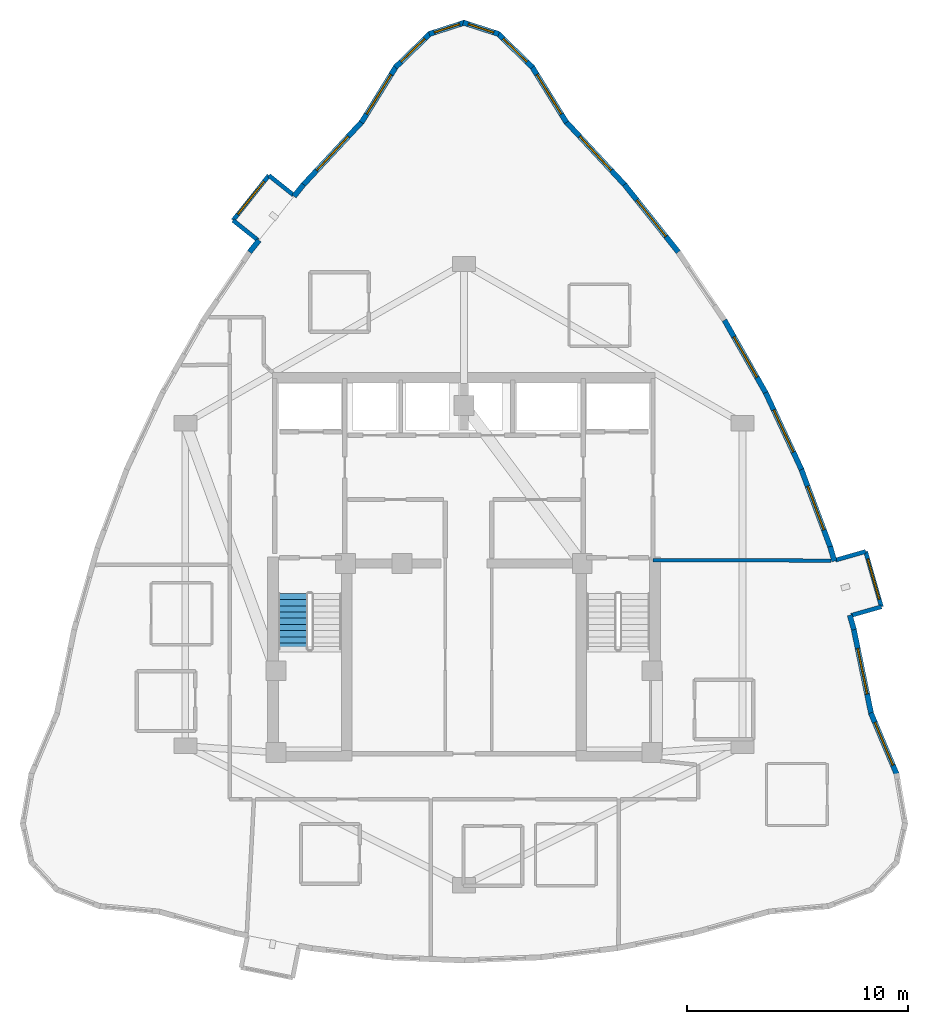
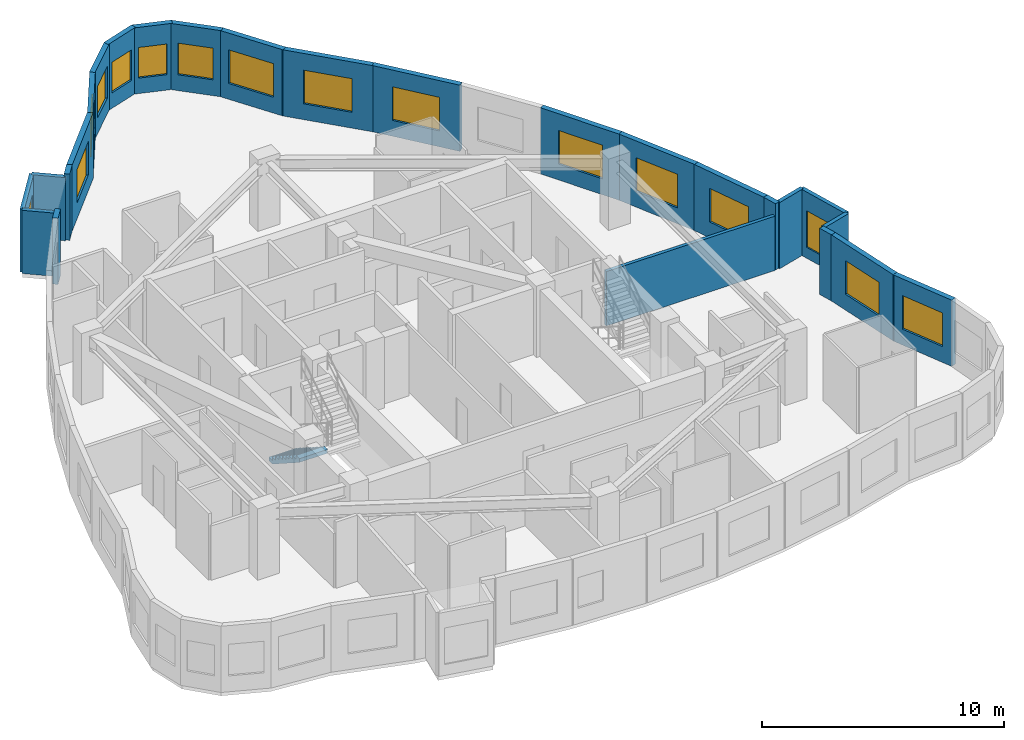
# One storey, part 8 of 10: 25 walls, 16 windows, 1 stair flight, 16 openings, 1 element without a shape of its own.
"""IFC4 building model written with IfcOpenShell, lengths in metres."""

from ifc_helpers import new_model, si_unit, direction, frame, frame_2d, origin, place, context, subcontext, project, spatial, polyline, rectangle, outline, extrude, material, layer, layer_set, type_object, element, fill, aggregate, save


model = new_model("IFC4")

# Units and contexts
model_context = context("Model", 3, precision=1e-05, world=origin(), true_north=direction((0.0, 1.0)))
body_context = subcontext(model_context, "Body", "Model", "MODEL_VIEW")
ifc_project = project(units=[si_unit("LENGTHUNIT", "METRE"), si_unit("AREAUNIT", "SQUARE_METRE"), si_unit("VOLUMEUNIT", "CUBIC_METRE"), si_unit("PLANEANGLEUNIT", "RADIAN"), si_unit("MASSUNIT", "GRAM", prefix="KILO")], contexts=[model_context])

# Site, building, storey
site_placement = place(None, origin())
site = spatial("IfcSite", under=ifc_project, at=site_placement, CompositionType="ELEMENT")
building_placement = place(site_placement, origin())
building = spatial("IfcBuilding", under=site, at=building_placement, Name="Miruveldt Soraemaru", CompositionType="ELEMENT")
storey_placement = place(building_placement, frame((0.0, 0.0, 230.39990234375)))
storey = spatial("IfcBuildingStorey", under=building, at=storey_placement, Name="L63", CompositionType="ELEMENT", Elevation=230.39990234375)

# Walls
ifc_material_1 = material(Name="White powder-coated aluminium EN AW-6060 T6", Category="aluminium")
ifc_layer_1 = layer(ifc_material_1, 0.18994140625, Name="White powder-coated aluminium EN AW-6060 T6", Category="aluminium")
ifc_layer_set_1 = layer_set([ifc_layer_1], Name="White powder-coated aluminium EN AW-6060 T6")
wall_type_1 = type_object("IfcWallType", Name="WALL-BAY-ALU190", PredefinedType="SOLIDWALL", material=ifc_layer_set_1)
for number, where, z_axis, x_axis, name in (
    (1, (36.290283203125, 60.718994140625, 0.0), (0.0, 0.0, 1.0), (-0.781737193764, 0.623608017817, 0.0), "L63 Bay Window Side Cheek 1L"),
    (2, (33.5546875, 59.5751953125, 0.0), (0.0, 0.0, 1.0), (0.781737193764, -0.623608017817, 0.0), "L63 Bay Window Side Cheek 1R"),
):
    element("IfcWall", number, at=place(storey_placement, frame(where, z_axis=z_axis, x_axis=x_axis)), inside=storey, type_object=wall_type_1, Name=name, PredefinedType="SOLIDWALL", context=body_context, shape_type="SweptSolid", body=[
        extrude(rectangle(XDim=1.425048828125, YDim=0.18994140625, at=frame_2d((0.71240234375, 0.0))), origin(), (0.0, 0.0, 1.0), 3.195068359375),
    ])

# Wall, opening, window
wall_1_placement = place(storey_placement, frame((35.17626953125, 61.607666015625, 0.0), z_axis=(0.0, 0.0, 1.0), x_axis=(-0.623663926583, -0.781692590907, 0.0)))
wall_1 = element("IfcWall", 3, at=wall_1_placement, inside=storey, type_object=wall_type_1, Name="L63 Bay Window Front Frame 1", PredefinedType="SOLIDWALL", context=body_context, shape_type="SweptSolid", body=[
    extrude(rectangle(XDim=2.60009765625, YDim=0.18994140625, at=frame_2d((1.300048828125, 0.0))), origin(), (0.0, 0.0, 1.0), 3.195068359375),
])
opening_1_placement = place(wall_1_placement, frame((0.35009765625, 0.0, 0.550048828125)))
opening_1 = element("IfcOpeningElement", 4, at=opening_1_placement, cuts=wall_1, Name="Opening WN-6", PredefinedType="OPENING", context=body_context, shape_type="SweptSolid", body=[
    extrude(rectangle(XDim=1.89990234375, YDim=1.85009765625, at=frame_2d((0.949951171875, 0.925048828125))), frame((0.0, 0.10498046875, 0.0), z_axis=(0.0, -1.0, 0.0), x_axis=(1.0, 0.0, 0.0)), (0.0, 0.0, 1.0), 0.2099609375),
])
ifc_material_2 = material(Name="Triple low-e insulated glazing", Category="glass")
window_type_1 = type_object("IfcWindowType", Name="WIN-BAYW-1900x1850", PartitioningType="SINGLE_PANEL", PredefinedType="WINDOW", material=ifc_material_2)
window_1_placement = place(opening_1_placement, origin())
window_1 = element("IfcWindow", 5, at=window_1_placement, inside=storey, type_object=window_type_1, Name="L63 Projecting Bay Window 1", OverallHeight=1.85009765625, OverallWidth=1.89990234375, PartitioningType="SINGLE_PANEL", PredefinedType="WINDOW", context=body_context, shape_type="SweptSolid", body=[
    extrude(rectangle(XDim=1.89990234375, YDim=1.85009765625, at=frame_2d((0.949951171875, 0.925048828125))), frame((0.0, 0.030029296875, 0.0), z_axis=(0.0, -1.0, 0.0), x_axis=(1.0, 0.0, 0.0)), (0.0, 0.0, 1.0), 0.06005859375),
])
fill(opening_1, window_1)

# Walls
wall_2_placement = place(storey_placement, frame((61.51220703125, 41.70361328125, 0.0), z_axis=(0.0, 0.0, 1.0), x_axis=(0.961439844578, 0.275015318223, 0.0)))
element("IfcWall", 6, at=wall_2_placement, inside=storey, type_object=wall_type_1, Name="L63 Bay Window Side Cheek 3L", PredefinedType="SOLIDWALL", context=body_context, shape_type="SweptSolid", body=[
    extrude(rectangle(XDim=1.4248046875, YDim=0.18994140625, at=frame_2d((0.71240234375, 0.0))), origin(), (0.0, 0.0, 1.0), 3.34521484375),
])
wall_3_placement = place(storey_placement, frame((62.167236328125, 44.59521484375, 0.0), z_axis=(0.0, 0.0, 1.0), x_axis=(-0.961452801096, -0.274970018845, 0.0)))
element("IfcWall", 7, at=wall_3_placement, inside=storey, type_object=wall_type_1, Name="L63 Bay Window Side Cheek 3R", PredefinedType="SOLIDWALL", context=body_context, shape_type="SweptSolid", body=[
    extrude(rectangle(XDim=1.425048828125, YDim=0.18994140625, at=frame_2d((0.71240234375, 0.0))), origin(), (0.0, 0.0, 1.0), 3.34521484375),
])

# Wall, opening, window
wall_4_placement = place(storey_placement, frame((62.882080078125, 42.095458984375, 0.0), z_axis=(0.0, 0.0, 1.0), x_axis=(-0.274944358644, 0.961460139397, 0.0)))
wall_4 = element("IfcWall", 8, at=wall_4_placement, inside=storey, type_object=wall_type_1, Name="L63 Bay Window Front Frame 3", PredefinedType="SOLIDWALL", context=body_context, shape_type="SweptSolid", body=[
    extrude(rectangle(XDim=2.599853515625, YDim=0.18994140625, at=frame_2d((1.2998046875, 0.0))), origin(), (0.0, 0.0, 1.0), 3.34521484375),
])
opening_2_placement = place(wall_4_placement, frame((0.35009765625, 0.0, 0.550048828125)))
opening_2 = element("IfcOpeningElement", 9, at=opening_2_placement, cuts=wall_4, Name="Opening WN-6", PredefinedType="OPENING", context=body_context, shape_type="SweptSolid", body=[
    extrude(rectangle(XDim=1.89990234375, YDim=1.85009765625, at=frame_2d((0.949951171875, 0.925048828125))), frame((0.0, 0.10498046875, 0.0), z_axis=(0.0, -1.0, 0.0), x_axis=(1.0, 0.0, 0.0)), (0.0, 0.0, 1.0), 0.2099609375),
])
window_2_placement = place(opening_2_placement, origin())
window_2 = element("IfcWindow", 10, at=window_2_placement, inside=storey, type_object=window_type_1, Name="L63 Projecting Bay Window 3", OverallHeight=1.85009765625, OverallWidth=1.89990234375, PartitioningType="SINGLE_PANEL", PredefinedType="WINDOW", context=body_context, shape_type="SweptSolid", body=[
    extrude(rectangle(XDim=1.89990234375, YDim=1.85009765625, at=frame_2d((0.949951171875, 0.925048828125))), frame((0.0, 0.030029296875, 0.0), z_axis=(0.0, -1.0, 0.0), x_axis=(1.0, 0.0, 0.0)), (0.0, 0.0, 1.0), 0.06005859375),
])
fill(opening_2, window_2)

ifc_material_3 = material(Name="Precast concrete C45/55 (45 MPa)", Category="concrete")
ifc_layer_2 = layer(ifc_material_3, 0.239990234375, Name="Precast concrete C45/55 (45 MPa)", Category="concrete")
ifc_layer_set_2 = layer_set([ifc_layer_2], Name="Precast concrete C45/55 (45 MPa)")
wall_type_2 = type_object("IfcWallType", Name="WALL-EXT-PC240", PredefinedType="SOLIDWALL", material=ifc_layer_set_2)
wall_5_placement = place(storey_placement, frame((48.63720703125, 64.002197265625, 0.0), z_axis=(0.0, 0.0, 1.0), x_axis=(-0.526046065783, 0.850456075687, 0.0)))
wall_5 = element("IfcWall", 11, at=wall_5_placement, inside=storey, type_object=wall_type_2, Name="L63 Precast Concrete Facade Wall 1", PredefinedType="SOLIDWALL", context=body_context, shape_type="SweptSolid", body=[
    extrude(rectangle(XDim=2.996826171875, YDim=0.239990234375, at=frame_2d((1.49853515625, 0.0))), origin(), (0.0, 0.0, 1.0), 3.34521484375),
])
opening_3_placement = place(wall_5_placement, frame((0.448974609375, 0.0, 0.800048828125)))
opening_3 = element("IfcOpeningElement", 12, at=opening_3_placement, cuts=wall_5, Name="Opening WN-1", PredefinedType="OPENING", context=body_context, shape_type="SweptSolid", body=[
    extrude(rectangle(XDim=2.10009765625, YDim=1.699951171875, at=frame_2d((1.050048828125, 0.85009765625))), frame((0.0, 0.1298828125, 0.0), z_axis=(0.0, -1.0, 0.0), x_axis=(1.0, 0.0, 0.0)), (0.0, 0.0, 1.0), 0.260009765625),
])
window_type_2 = type_object("IfcWindowType", Name="WIN-PUNCH-2100x1700", PartitioningType="SINGLE_PANEL", PredefinedType="WINDOW", material=ifc_material_2)
window_3_placement = place(opening_3_placement, origin())
window_3 = element("IfcWindow", 13, at=window_3_placement, inside=storey, type_object=window_type_2, Name="L63 Punched Triple-Glazed Window 01.1", OverallHeight=1.699951171875, OverallWidth=2.10009765625, PartitioningType="SINGLE_PANEL", PredefinedType="WINDOW", context=body_context, shape_type="SweptSolid", body=[
    extrude(rectangle(XDim=2.10009765625, YDim=1.699951171875, at=frame_2d((1.050048828125, 0.85009765625))), frame((0.0, 0.030029296875, 0.0), z_axis=(0.0, -1.0, 0.0), x_axis=(1.0, 0.0, 0.0)), (0.0, 0.0, 1.0), 0.06005859375),
])
fill(opening_3, window_3)

wall_6_placement = place(storey_placement, frame((47.104248046875, 66.49658203125, 0.0), z_axis=(0.0, 0.0, 1.0), x_axis=(-0.717771848631, 0.696278373434, 0.0)))
wall_6 = element("IfcWall", 14, at=wall_6_placement, inside=storey, type_object=wall_type_2, Name="L63 Precast Concrete Facade Wall 2", PredefinedType="SOLIDWALL", context=body_context, shape_type="SweptSolid", body=[
    extrude(rectangle(XDim=2.215087890625, YDim=0.239990234375, at=frame_2d((1.107421875, 0.0))), origin(), (0.0, 0.0, 1.0), 3.34521484375),
])
opening_4_placement = place(wall_6_placement, frame((0.35791015625, 0.0, 0.800048828125)))
opening_4 = element("IfcOpeningElement", 15, at=opening_4_placement, cuts=wall_6, Name="Opening WN-3", PredefinedType="OPENING", context=body_context, shape_type="SweptSolid", body=[
    extrude(rectangle(XDim=1.5, YDim=1.60009765625, at=frame_2d((0.75, 0.800048828125))), frame((0.0, 0.1298828125, 0.0), z_axis=(0.0, -1.0, 0.0), x_axis=(1.0, 0.0, 0.0)), (0.0, 0.0, 1.0), 0.260009765625),
])
window_type_3 = type_object("IfcWindowType", Name="WIN-PUNCH-1500x1600", PartitioningType="SINGLE_PANEL", PredefinedType="WINDOW", material=ifc_material_2)
window_4_placement = place(opening_4_placement, origin())
window_4 = element("IfcWindow", 16, at=window_4_placement, inside=storey, type_object=window_type_3, Name="L63 Punched Triple-Glazed Window 02.1", OverallHeight=1.60009765625, OverallWidth=1.5, PartitioningType="SINGLE_PANEL", PredefinedType="WINDOW", context=body_context, shape_type="SweptSolid", body=[
    extrude(rectangle(XDim=1.5, YDim=1.60009765625, at=frame_2d((0.75, 0.800048828125))), frame((0.0, 0.030029296875, 0.0), z_axis=(0.0, -1.0, 0.0), x_axis=(1.0, 0.0, 0.0)), (0.0, 0.0, 1.0), 0.06005859375),
])
fill(opening_4, window_4)

wall_7_placement = place(storey_placement, frame((45.572998046875, 68.00341796875, 0.0), z_axis=(0.0, 0.0, 1.0), x_axis=(-0.951508034969, 0.307623892747, 0.0)))
wall_7 = element("IfcWall", 17, at=wall_7_placement, inside=storey, type_object=wall_type_2, Name="L63 Precast Concrete Facade Wall 3", PredefinedType="SOLIDWALL", context=body_context, shape_type="SweptSolid", body=[
    extrude(rectangle(XDim=1.68798828125, YDim=0.239990234375, at=frame_2d((0.843994140625, 0.0))), origin(), (0.0, 0.0, 1.0), 3.34521484375),
])
opening_5_placement = place(wall_7_placement, frame((0.243896484375, 0.0, 0.780029296875)))
opening_5 = element("IfcOpeningElement", 18, at=opening_5_placement, cuts=wall_7, Name="Opening WN-4", PredefinedType="OPENING", context=body_context, shape_type="SweptSolid", body=[
    extrude(rectangle(XDim=1.199951171875, YDim=1.550048828125, at=frame_2d((0.60009765625, 0.77490234375))), frame((0.0, 0.1298828125, 0.0), z_axis=(0.0, -1.0, 0.0), x_axis=(1.0, 0.0, 0.0)), (0.0, 0.0, 1.0), 0.260009765625),
])
window_type_4 = type_object("IfcWindowType", Name="WIN-PUNCH-1200x1550", PartitioningType="SINGLE_PANEL", PredefinedType="WINDOW", material=ifc_material_2)
window_5_placement = place(opening_5_placement, origin())
window_5 = element("IfcWindow", 19, at=window_5_placement, inside=storey, type_object=window_type_4, Name="L63 Punched Triple-Glazed Window 03.1", OverallHeight=1.550048828125, OverallWidth=1.199951171875, PartitioningType="SINGLE_PANEL", PredefinedType="WINDOW", context=body_context, shape_type="SweptSolid", body=[
    extrude(rectangle(XDim=1.199951171875, YDim=1.550048828125, at=frame_2d((0.60009765625, 0.77490234375))), frame((0.0, 0.030029296875, 0.0), z_axis=(0.0, -1.0, 0.0), x_axis=(1.0, 0.0, 0.0)), (0.0, 0.0, 1.0), 0.06005859375),
])
fill(opening_5, window_5)

wall_8_placement = place(storey_placement, frame((44.033203125, 68.522705078125, 0.0), z_axis=(0.0, 0.0, 1.0), x_axis=(-0.951508034969, -0.307623892747, 0.0)))
wall_8 = element("IfcWall", 20, at=wall_8_placement, inside=storey, type_object=wall_type_2, Name="L63 Precast Concrete Facade Wall 4", PredefinedType="SOLIDWALL", context=body_context, shape_type="SweptSolid", body=[
    extrude(rectangle(XDim=1.68798828125, YDim=0.239990234375, at=frame_2d((0.843994140625, 0.0))), origin(), (0.0, 0.0, 1.0), 3.34521484375),
])
opening_6_placement = place(wall_8_placement, frame((0.243896484375, 0.0, 0.780029296875)))
opening_6 = element("IfcOpeningElement", 21, at=opening_6_placement, cuts=wall_8, Name="Opening WN-4", PredefinedType="OPENING", context=body_context, shape_type="SweptSolid", body=[
    extrude(rectangle(XDim=1.199951171875, YDim=1.550048828125, at=frame_2d((0.60009765625, 0.77490234375))), frame((0.0, 0.1298828125, 0.0), z_axis=(0.0, -1.0, 0.0), x_axis=(1.0, 0.0, 0.0)), (0.0, 0.0, 1.0), 0.260009765625),
])
window_6_placement = place(opening_6_placement, origin())
window_6 = element("IfcWindow", 22, at=window_6_placement, inside=storey, type_object=window_type_4, Name="L63 Punched Triple-Glazed Window 04.1", OverallHeight=1.550048828125, OverallWidth=1.199951171875, PartitioningType="SINGLE_PANEL", PredefinedType="WINDOW", context=body_context, shape_type="SweptSolid", body=[
    extrude(rectangle(XDim=1.199951171875, YDim=1.550048828125, at=frame_2d((0.60009765625, 0.77490234375))), frame((0.0, 0.030029296875, 0.0), z_axis=(0.0, -1.0, 0.0), x_axis=(1.0, 0.0, 0.0)), (0.0, 0.0, 1.0), 0.06005859375),
])
fill(opening_6, window_6)

wall_9_placement = place(storey_placement, frame((42.485595703125, 68.038818359375, 0.0), z_axis=(0.0, 0.0, 1.0), x_axis=(-0.717771848631, -0.696278373434, 0.0)))
wall_9 = element("IfcWall", 23, at=wall_9_placement, inside=storey, type_object=wall_type_2, Name="L63 Precast Concrete Facade Wall 5", PredefinedType="SOLIDWALL", context=body_context, shape_type="SweptSolid", body=[
    extrude(rectangle(XDim=2.215087890625, YDim=0.239990234375, at=frame_2d((1.107421875, 0.0))), origin(), (0.0, 0.0, 1.0), 3.34521484375),
])
opening_7_placement = place(wall_9_placement, frame((0.35791015625, 0.0, 0.800048828125)))
opening_7 = element("IfcOpeningElement", 24, at=opening_7_placement, cuts=wall_9, Name="Opening WN-3", PredefinedType="OPENING", context=body_context, shape_type="SweptSolid", body=[
    extrude(rectangle(XDim=1.5, YDim=1.60009765625, at=frame_2d((0.75, 0.800048828125))), frame((0.0, 0.1298828125, 0.0), z_axis=(0.0, -1.0, 0.0), x_axis=(1.0, 0.0, 0.0)), (0.0, 0.0, 1.0), 0.260009765625),
])
window_7_placement = place(opening_7_placement, origin())
window_7 = element("IfcWindow", 25, at=window_7_placement, inside=storey, type_object=window_type_3, Name="L63 Punched Triple-Glazed Window 05.1", OverallHeight=1.60009765625, OverallWidth=1.5, PartitioningType="SINGLE_PANEL", PredefinedType="WINDOW", context=body_context, shape_type="SweptSolid", body=[
    extrude(rectangle(XDim=1.5, YDim=1.60009765625, at=frame_2d((0.75, 0.800048828125))), frame((0.0, 0.030029296875, 0.0), z_axis=(0.0, -1.0, 0.0), x_axis=(1.0, 0.0, 0.0)), (0.0, 0.0, 1.0), 0.06005859375),
])
fill(opening_7, window_7)

wall_10_placement = place(storey_placement, frame((40.939208984375, 66.55078125, 0.0), z_axis=(0.0, 0.0, 1.0), x_axis=(-0.526046065783, -0.850456075687, 0.0)))
wall_10 = element("IfcWall", 26, at=wall_10_placement, inside=storey, type_object=wall_type_2, Name="L63 Precast Concrete Facade Wall 6", PredefinedType="SOLIDWALL", context=body_context, shape_type="SweptSolid", body=[
    extrude(rectangle(XDim=2.996826171875, YDim=0.239990234375, at=frame_2d((1.49853515625, 0.0))), origin(), (0.0, 0.0, 1.0), 3.34521484375),
])
opening_8_placement = place(wall_10_placement, frame((0.448974609375, 0.0, 0.800048828125)))
opening_8 = element("IfcOpeningElement", 27, at=opening_8_placement, cuts=wall_10, Name="Opening WN-1", PredefinedType="OPENING", context=body_context, shape_type="SweptSolid", body=[
    extrude(rectangle(XDim=2.10009765625, YDim=1.699951171875, at=frame_2d((1.050048828125, 0.85009765625))), frame((0.0, 0.1298828125, 0.0), z_axis=(0.0, -1.0, 0.0), x_axis=(1.0, 0.0, 0.0)), (0.0, 0.0, 1.0), 0.260009765625),
])
window_8_placement = place(opening_8_placement, origin())
window_8 = element("IfcWindow", 28, at=window_8_placement, inside=storey, type_object=window_type_2, Name="L63 Punched Triple-Glazed Window 06.1", OverallHeight=1.699951171875, OverallWidth=2.10009765625, PartitioningType="SINGLE_PANEL", PredefinedType="WINDOW", context=body_context, shape_type="SweptSolid", body=[
    extrude(rectangle(XDim=2.10009765625, YDim=1.699951171875, at=frame_2d((1.050048828125, 0.85009765625))), frame((0.0, 0.030029296875, 0.0), z_axis=(0.0, -1.0, 0.0), x_axis=(1.0, 0.0, 0.0)), (0.0, 0.0, 1.0), 0.06005859375),
])
fill(opening_8, window_8)

wall_11_placement = place(storey_placement, frame((39.405029296875, 64.0576171875, 0.0), z_axis=(0.0, 0.0, 1.0), x_axis=(-0.680867537842, -0.732406578284, 0.0)))
wall_11 = element("IfcWall", 29, at=wall_11_placement, inside=storey, type_object=wall_type_2, Name="L63 Precast Concrete Facade Wall 7", PredefinedType="SOLIDWALL", context=body_context, shape_type="SweptSolid", body=[
    extrude(rectangle(XDim=3.97900390625, YDim=0.239990234375, at=frame_2d((1.989501953125, 0.0))), origin(), (0.0, 0.0, 1.0), 3.34521484375),
])
opening_9_placement = place(wall_11_placement, frame((0.93994140625, 0.0, 0.800048828125)))
opening_9 = element("IfcOpeningElement", 30, at=opening_9_placement, cuts=wall_11, Name="Opening WN-1", PredefinedType="OPENING", context=body_context, shape_type="SweptSolid", body=[
    extrude(rectangle(XDim=2.10009765625, YDim=1.699951171875, at=frame_2d((1.050048828125, 0.85009765625))), frame((0.0, 0.1298828125, 0.0), z_axis=(0.0, -1.0, 0.0), x_axis=(1.0, 0.0, 0.0)), (0.0, 0.0, 1.0), 0.260009765625),
])
window_9_placement = place(opening_9_placement, origin())
window_9 = element("IfcWindow", 31, at=window_9_placement, inside=storey, type_object=window_type_2, Name="L63 Punched Triple-Glazed Window 07.1", OverallHeight=1.699951171875, OverallWidth=2.10009765625, PartitioningType="SINGLE_PANEL", PredefinedType="WINDOW", context=body_context, shape_type="SweptSolid", body=[
    extrude(rectangle(XDim=2.10009765625, YDim=1.699951171875, at=frame_2d((1.050048828125, 0.85009765625))), frame((0.0, 0.030029296875, 0.0), z_axis=(0.0, -1.0, 0.0), x_axis=(1.0, 0.0, 0.0)), (0.0, 0.0, 1.0), 0.06005859375),
])
fill(opening_9, window_9)

# Walls
wall_12_placement = place(storey_placement, frame((36.7412109375, 61.1962890625, 0.0), z_axis=(0.0, 0.0, 1.0), x_axis=(-0.623650256821, -0.781703496965, 0.0)))
element("IfcWall", 32, at=wall_12_placement, inside=storey, type_object=wall_type_2, Name="L63 Precast Pier Wall 8A", PredefinedType="SOLIDWALL", context=body_context, shape_type="SweptSolid", body=[
    extrude(rectangle(XDim=0.684326171875, YDim=0.239990234375, at=frame_2d((0.34228515625, 0.0))), origin(), (0.0, 0.0, 1.0), 3.34521484375),
])
wall_13_placement = place(storey_placement, frame((34.73046875, 58.67578125, 0.0), z_axis=(0.0, 0.0, 1.0), x_axis=(-0.623476356551, -0.781842204554, 0.0)))
element("IfcWall", 33, at=wall_13_placement, inside=storey, type_object=wall_type_2, Name="L63 Precast Pier Wall 8B", PredefinedType="SOLIDWALL", context=body_context, shape_type="SweptSolid", body=[
    extrude(rectangle(XDim=0.6845703125, YDim=0.239990234375, at=frame_2d((0.34228515625, 0.0))), origin(), (0.0, 0.0, 1.0), 3.34521484375),
])

# Wall, opening, window
wall_14_placement = place(storey_placement, frame((63.585693359375, 34.493896484375, 0.0), z_axis=(0.0, 0.0, 1.0), x_axis=(-0.388613190648, 0.921400991998, 0.0)))
wall_14 = element("IfcWall", 34, at=wall_14_placement, inside=storey, type_object=wall_type_2, Name="L63 Precast Concrete Facade Wall 34", PredefinedType="SOLIDWALL", context=body_context, shape_type="SweptSolid", body=[
    extrude(rectangle(XDim=3.041259765625, YDim=0.239990234375, at=frame_2d((1.5205078125, 0.0))), origin(), (0.0, 0.0, 1.0), 3.34521484375),
])
opening_10_placement = place(wall_14_placement, frame((0.470947265625, 0.0, 0.800048828125)))
opening_10 = element("IfcOpeningElement", 35, at=opening_10_placement, cuts=wall_14, Name="Opening WN-1", PredefinedType="OPENING", context=body_context, shape_type="SweptSolid", body=[
    extrude(rectangle(XDim=2.10009765625, YDim=1.699951171875, at=frame_2d((1.050048828125, 0.85009765625))), frame((0.0, 0.1298828125, 0.0), z_axis=(0.0, -1.0, 0.0), x_axis=(1.0, 0.0, 0.0)), (0.0, 0.0, 1.0), 0.260009765625),
])
window_10_placement = place(opening_10_placement, origin())
window_10 = element("IfcWindow", 36, at=window_10_placement, inside=storey, type_object=window_type_2, Name="L63 Punched Triple-Glazed Window 34.1", OverallHeight=1.699951171875, OverallWidth=2.10009765625, PartitioningType="SINGLE_PANEL", PredefinedType="WINDOW", context=body_context, shape_type="SweptSolid", body=[
    extrude(rectangle(XDim=2.10009765625, YDim=1.699951171875, at=frame_2d((1.050048828125, 0.85009765625))), frame((0.0, 0.030029296875, 0.0), z_axis=(0.0, -1.0, 0.0), x_axis=(1.0, 0.0, 0.0)), (0.0, 0.0, 1.0), 0.06005859375),
])
fill(opening_10, window_10)

wall_15_placement = place(storey_placement, frame((62.424560546875, 37.2294921875, 0.0), z_axis=(0.0, 0.0, 1.0), x_axis=(-0.20159925737, 0.979468090051, 0.0)))
wall_15 = element("IfcWall", 37, at=wall_15_placement, inside=storey, type_object=wall_type_2, Name="L63 Precast Concrete Facade Wall 35", PredefinedType="SOLIDWALL", context=body_context, shape_type="SweptSolid", body=[
    extrude(rectangle(XDim=3.9794921875, YDim=0.239990234375, at=frame_2d((1.98974609375, 0.0))), origin(), (0.0, 0.0, 1.0), 3.34521484375),
])
opening_11_placement = place(wall_15_placement, frame((0.93994140625, 0.0, 0.800048828125)))
opening_11 = element("IfcOpeningElement", 38, at=opening_11_placement, cuts=wall_15, Name="Opening WN-1", PredefinedType="OPENING", context=body_context, shape_type="SweptSolid", body=[
    extrude(rectangle(XDim=2.10009765625, YDim=1.699951171875, at=frame_2d((1.050048828125, 0.85009765625))), frame((0.0, 0.1298828125, 0.0), z_axis=(0.0, -1.0, 0.0), x_axis=(1.0, 0.0, 0.0)), (0.0, 0.0, 1.0), 0.260009765625),
])
window_11_placement = place(opening_11_placement, origin())
window_11 = element("IfcWindow", 39, at=window_11_placement, inside=storey, type_object=window_type_2, Name="L63 Punched Triple-Glazed Window 35.1", OverallHeight=1.699951171875, OverallWidth=2.10009765625, PartitioningType="SINGLE_PANEL", PredefinedType="WINDOW", context=body_context, shape_type="SweptSolid", body=[
    extrude(rectangle(XDim=2.10009765625, YDim=1.699951171875, at=frame_2d((1.050048828125, 0.85009765625))), frame((0.0, 0.030029296875, 0.0), z_axis=(0.0, -1.0, 0.0), x_axis=(1.0, 0.0, 0.0)), (0.0, 0.0, 1.0), 0.06005859375),
])
fill(opening_11, window_11)

# Walls
for number, where, z_axis, x_axis, name in (
    (40, (61.63916015625, 41.05908203125, 0.0), (0.0, 0.0, 1.0), (-0.274956625662, 0.961456631369, 0.0), "L63 Precast Pier Wall 36A"),
    (41, (60.75244140625, 44.159423828125, 0.0), (0.0, 0.0, 1.0), (-0.274956625662, 0.961456631369, 0.0), "L63 Precast Pier Wall 36B"),
):
    element("IfcWall", number, at=place(storey_placement, frame(where, z_axis=z_axis, x_axis=x_axis)), inside=storey, type_object=wall_type_2, Name=name, PredefinedType="SOLIDWALL", context=body_context, shape_type="SweptSolid", body=[
        extrude(rectangle(XDim=0.6845703125, YDim=0.239990234375, at=frame_2d((0.34228515625, 0.0))), origin(), (0.0, 0.0, 1.0), 3.34521484375),
    ])

# Wall, opening, window
wall_16_placement = place(storey_placement, frame((60.586181640625, 44.751220703125, 0.0), z_axis=(0.0, 0.0, 1.0), x_axis=(-0.34907854063, 0.937093470509, 0.0)))
wall_16 = element("IfcWall", 42, at=wall_16_placement, inside=storey, type_object=wall_type_2, Name="L63 Precast Concrete Facade Wall 37", PredefinedType="SOLIDWALL", context=body_context, shape_type="SweptSolid", body=[
    extrude(rectangle(XDim=3.861328125, YDim=0.239990234375, at=frame_2d((1.9306640625, 0.0))), origin(), (0.0, 0.0, 1.0), 3.34521484375),
])
opening_12_placement = place(wall_16_placement, frame((0.881103515625, 0.0, 0.800048828125)))
opening_12 = element("IfcOpeningElement", 43, at=opening_12_placement, cuts=wall_16, Name="Opening WN-1", PredefinedType="OPENING", context=body_context, shape_type="SweptSolid", body=[
    extrude(rectangle(XDim=2.10009765625, YDim=1.699951171875, at=frame_2d((1.050048828125, 0.85009765625))), frame((0.0, 0.1298828125, 0.0), z_axis=(0.0, -1.0, 0.0), x_axis=(1.0, 0.0, 0.0)), (0.0, 0.0, 1.0), 0.260009765625),
])
window_12_placement = place(opening_12_placement, origin())
window_12 = element("IfcWindow", 44, at=window_12_placement, inside=storey, type_object=window_type_2, Name="L63 Punched Triple-Glazed Window 37.1", OverallHeight=1.699951171875, OverallWidth=2.10009765625, PartitioningType="SINGLE_PANEL", PredefinedType="WINDOW", context=body_context, shape_type="SweptSolid", body=[
    extrude(rectangle(XDim=2.10009765625, YDim=1.699951171875, at=frame_2d((1.050048828125, 0.85009765625))), frame((0.0, 0.030029296875, 0.0), z_axis=(0.0, -1.0, 0.0), x_axis=(1.0, 0.0, 0.0)), (0.0, 0.0, 1.0), 0.06005859375),
])
fill(opening_12, window_12)

wall_17_placement = place(storey_placement, frame((59.265380859375, 48.30517578125, 0.0), z_axis=(0.0, 0.0, 1.0), x_axis=(-0.422307229898, 0.906452758601, 0.0)))
wall_17 = element("IfcWall", 45, at=wall_17_placement, inside=storey, type_object=wall_type_2, Name="L63 Precast Concrete Facade Wall 38", PredefinedType="SOLIDWALL", context=body_context, shape_type="SweptSolid", body=[
    extrude(rectangle(XDim=3.83740234375, YDim=0.239990234375, at=frame_2d((1.918701171875, 0.0))), origin(), (0.0, 0.0, 1.0), 3.34521484375),
])
opening_13_placement = place(wall_17_placement, frame((0.868896484375, 0.0, 0.800048828125)))
opening_13 = element("IfcOpeningElement", 46, at=opening_13_placement, cuts=wall_17, Name="Opening WN-1", PredefinedType="OPENING", context=body_context, shape_type="SweptSolid", body=[
    extrude(rectangle(XDim=2.10009765625, YDim=1.699951171875, at=frame_2d((1.050048828125, 0.85009765625))), frame((0.0, 0.1298828125, 0.0), z_axis=(0.0, -1.0, 0.0), x_axis=(1.0, 0.0, 0.0)), (0.0, 0.0, 1.0), 0.260009765625),
])
window_13_placement = place(opening_13_placement, origin())
window_13 = element("IfcWindow", 47, at=window_13_placement, inside=storey, type_object=window_type_2, Name="L63 Punched Triple-Glazed Window 38.1", OverallHeight=1.699951171875, OverallWidth=2.10009765625, PartitioningType="SINGLE_PANEL", PredefinedType="WINDOW", context=body_context, shape_type="SweptSolid", body=[
    extrude(rectangle(XDim=2.10009765625, YDim=1.699951171875, at=frame_2d((1.050048828125, 0.85009765625))), frame((0.0, 0.030029296875, 0.0), z_axis=(0.0, -1.0, 0.0), x_axis=(1.0, 0.0, 0.0)), (0.0, 0.0, 1.0), 0.06005859375),
])
fill(opening_13, window_13)

wall_18_placement = place(storey_placement, frame((57.677001953125, 51.721435546875, 0.0), z_axis=(0.0, 0.0, 1.0), x_axis=(-0.493375309214, 0.869816534826, 0.0)))
wall_18 = element("IfcWall", 48, at=wall_18_placement, inside=storey, type_object=wall_type_2, Name="L63 Precast Concrete Facade Wall 39", PredefinedType="SOLIDWALL", context=body_context, shape_type="SweptSolid", body=[
    extrude(rectangle(XDim=3.83740234375, YDim=0.239990234375, at=frame_2d((1.918701171875, 0.0))), origin(), (0.0, 0.0, 1.0), 3.34521484375),
])
opening_14_placement = place(wall_18_placement, frame((0.868896484375, 0.0, 0.800048828125)))
opening_14 = element("IfcOpeningElement", 49, at=opening_14_placement, cuts=wall_18, Name="Opening WN-1", PredefinedType="OPENING", context=body_context, shape_type="SweptSolid", body=[
    extrude(rectangle(XDim=2.10009765625, YDim=1.699951171875, at=frame_2d((1.050048828125, 0.85009765625))), frame((0.0, 0.1298828125, 0.0), z_axis=(0.0, -1.0, 0.0), x_axis=(1.0, 0.0, 0.0)), (0.0, 0.0, 1.0), 0.260009765625),
])
window_14_placement = place(opening_14_placement, origin())
window_14 = element("IfcWindow", 50, at=window_14_placement, inside=storey, type_object=window_type_2, Name="L63 Punched Triple-Glazed Window 39.1", OverallHeight=1.699951171875, OverallWidth=2.10009765625, PartitioningType="SINGLE_PANEL", PredefinedType="WINDOW", context=body_context, shape_type="SweptSolid", body=[
    extrude(rectangle(XDim=2.10009765625, YDim=1.699951171875, at=frame_2d((1.050048828125, 0.85009765625))), frame((0.0, 0.030029296875, 0.0), z_axis=(0.0, -1.0, 0.0), x_axis=(1.0, 0.0, 0.0)), (0.0, 0.0, 1.0), 0.06005859375),
])
fill(opening_14, window_14)

wall_19_placement = place(storey_placement, frame((53.6962890625, 58.140625, 0.0), z_axis=(0.0, 0.0, 1.0), x_axis=(-0.623597578122, 0.781745521612, 0.0)))
wall_19 = element("IfcWall", 51, at=wall_19_placement, inside=storey, type_object=wall_type_2, Name="L63 Precast Concrete Facade Wall 41", PredefinedType="SOLIDWALL", context=body_context, shape_type="SweptSolid", body=[
    extrude(rectangle(XDim=3.90869140625, YDim=0.239990234375, at=frame_2d((1.954345703125, 0.0))), origin(), (0.0, 0.0, 1.0), 3.34521484375),
])
opening_15_placement = place(wall_19_placement, frame((0.905029296875, 0.0, 0.800048828125)))
opening_15 = element("IfcOpeningElement", 52, at=opening_15_placement, cuts=wall_19, Name="Opening WN-1", PredefinedType="OPENING", context=body_context, shape_type="SweptSolid", body=[
    extrude(rectangle(XDim=2.10009765625, YDim=1.699951171875, at=frame_2d((1.050048828125, 0.85009765625))), frame((0.0, 0.1298828125, 0.0), z_axis=(0.0, -1.0, 0.0), x_axis=(1.0, 0.0, 0.0)), (0.0, 0.0, 1.0), 0.260009765625),
])
window_15_placement = place(opening_15_placement, origin())
window_15 = element("IfcWindow", 53, at=window_15_placement, inside=storey, type_object=window_type_2, Name="L63 Punched Triple-Glazed Window 41.1", OverallHeight=1.699951171875, OverallWidth=2.10009765625, PartitioningType="SINGLE_PANEL", PredefinedType="WINDOW", context=body_context, shape_type="SweptSolid", body=[
    extrude(rectangle(XDim=2.10009765625, YDim=1.699951171875, at=frame_2d((1.050048828125, 0.85009765625))), frame((0.0, 0.030029296875, 0.0), z_axis=(0.0, -1.0, 0.0), x_axis=(1.0, 0.0, 0.0)), (0.0, 0.0, 1.0), 0.06005859375),
])
fill(opening_15, window_15)

wall_20_placement = place(storey_placement, frame((51.30419921875, 61.143310546875, 0.0), z_axis=(0.0, 0.0, 1.0), x_axis=(-0.680867537842, 0.732406578284, 0.0)))
wall_20 = element("IfcWall", 54, at=wall_20_placement, inside=storey, type_object=wall_type_2, Name="L63 Precast Concrete Facade Wall 42", PredefinedType="SOLIDWALL", context=body_context, shape_type="SweptSolid", body=[
    extrude(rectangle(XDim=3.97900390625, YDim=0.239990234375, at=frame_2d((1.989501953125, 0.0))), origin(), (0.0, 0.0, 1.0), 3.34521484375),
])
opening_16_placement = place(wall_20_placement, frame((0.93994140625, 0.0, 0.800048828125)))
opening_16 = element("IfcOpeningElement", 55, at=opening_16_placement, cuts=wall_20, Name="Opening WN-1", PredefinedType="OPENING", context=body_context, shape_type="SweptSolid", body=[
    extrude(rectangle(XDim=2.10009765625, YDim=1.699951171875, at=frame_2d((1.050048828125, 0.85009765625))), frame((0.0, 0.1298828125, 0.0), z_axis=(0.0, -1.0, 0.0), x_axis=(1.0, 0.0, 0.0)), (0.0, 0.0, 1.0), 0.260009765625),
])
window_16_placement = place(opening_16_placement, origin())
window_16 = element("IfcWindow", 56, at=window_16_placement, inside=storey, type_object=window_type_2, Name="L63 Punched Triple-Glazed Window 42.1", OverallHeight=1.699951171875, OverallWidth=2.10009765625, PartitioningType="SINGLE_PANEL", PredefinedType="WINDOW", context=body_context, shape_type="SweptSolid", body=[
    extrude(rectangle(XDim=2.10009765625, YDim=1.699951171875, at=frame_2d((1.050048828125, 0.85009765625))), frame((0.0, 0.030029296875, 0.0), z_axis=(0.0, -1.0, 0.0), x_axis=(1.0, 0.0, 0.0)), (0.0, 0.0, 1.0), 0.06005859375),
])
fill(opening_16, window_16)

# Wall
ifc_material_4 = material(Name="Concrete C40/50 (40 MPa)", Category="concrete")
ifc_layer_3 = layer(ifc_material_4, 0.159912109375, Name="Concrete C40/50 (40 MPa)", Category="concrete")
ifc_layer_set_3 = layer_set([ifc_layer_3], Name="Concrete C40/50 (40 MPa)")
wall_type_3 = type_object("IfcWallType", Name="WALL-INT-RC160", PredefinedType="SOLIDWALL", material=ifc_layer_set_3)
wall_21_placement = place(storey_placement, frame((52.550048828125, 44.205322265625, 0.0), z_axis=(0.0, 0.0, 1.0), x_axis=(0.999996835679, -0.002515677185, 0.0)))
element("IfcWall", 57, at=wall_21_placement, inside=storey, type_object=wall_type_3, Name="L63 Partition Wall 22", PredefinedType="SOLIDWALL", context=body_context, shape_type="SweptSolid", body=[
    extrude(rectangle(XDim=8.054931640625, YDim=0.159912109375, at=frame_2d((4.02734375, 0.0))), origin(), (0.0, 0.0, 1.0), 2.7451171875),
])

# Stair, stair flight
stair_type = type_object("IfcStairType", Name="STAIR-DL-360", PredefinedType="HALF_TURN_STAIR", material=ifc_material_4)
stair_placement = place(storey_placement, origin())
stair = element("IfcStair", 58, at=stair_placement, inside=storey, type_object=stair_type, Name="L63 Protected Exit Stair ST-1", PredefinedType="HALF_TURN_STAIR")
stair_flight_type = type_object("IfcStairFlightType", Name="SFL-DL-360", PredefinedType="STRAIGHT", material=ifc_material_4)
stair_flight_placement = place(storey_placement, frame((36.27490234375, 42.699951171875, 0.0), z_axis=(0.0, 0.0, 1.0), x_axis=(0.0, -1.0, 0.0)))
stair_flight = element("IfcStairFlight", 59, at=stair_flight_placement, type_object=stair_flight_type, Name="ST-1 flight 1", NumberOfRisers=10, NumberOfTreads=9, PredefinedType="STRAIGHT", RiserHeight=0.18, TreadLength=0.28, context=body_context, shape_type="SweptSolid", body=[
    extrude(outline(polyline([(0.0, 0.0), (0.0, 0.179931640625), (0.280029296875, 0.179931640625), (0.280029296875, 0.360107421875), (0.56005859375, 0.360107421875), (0.56005859375, 0.5400390625), (0.840087890625, 0.5400390625), (0.840087890625, 0.719970703125), (1.1201171875, 0.719970703125), (1.1201171875, 0.89990234375), (1.39990234375, 0.89990234375), (1.39990234375, 1.080078125), (1.679931640625, 1.080078125), (1.679931640625, 1.260009765625), (1.9599609375, 1.260009765625), (1.9599609375, 1.43994140625), (2.239990234375, 1.43994140625), (2.239990234375, 1.6201171875), (2.52001953125, 1.6201171875), (2.52001953125, 1.800048828125), (2.52001953125, 1.429931640625), (0.295654296875, 0.0), (0.0, 0.0)])), frame((0.0, 0.675048828125, 0.0), z_axis=(0.0, -1.0, 0.0), x_axis=(1.0, 0.0, 0.0)), (0.0, 0.0, 1.0), 1.35009765625),
])
aggregate(stair, [stair_flight])

save(model, "model.ifc")
